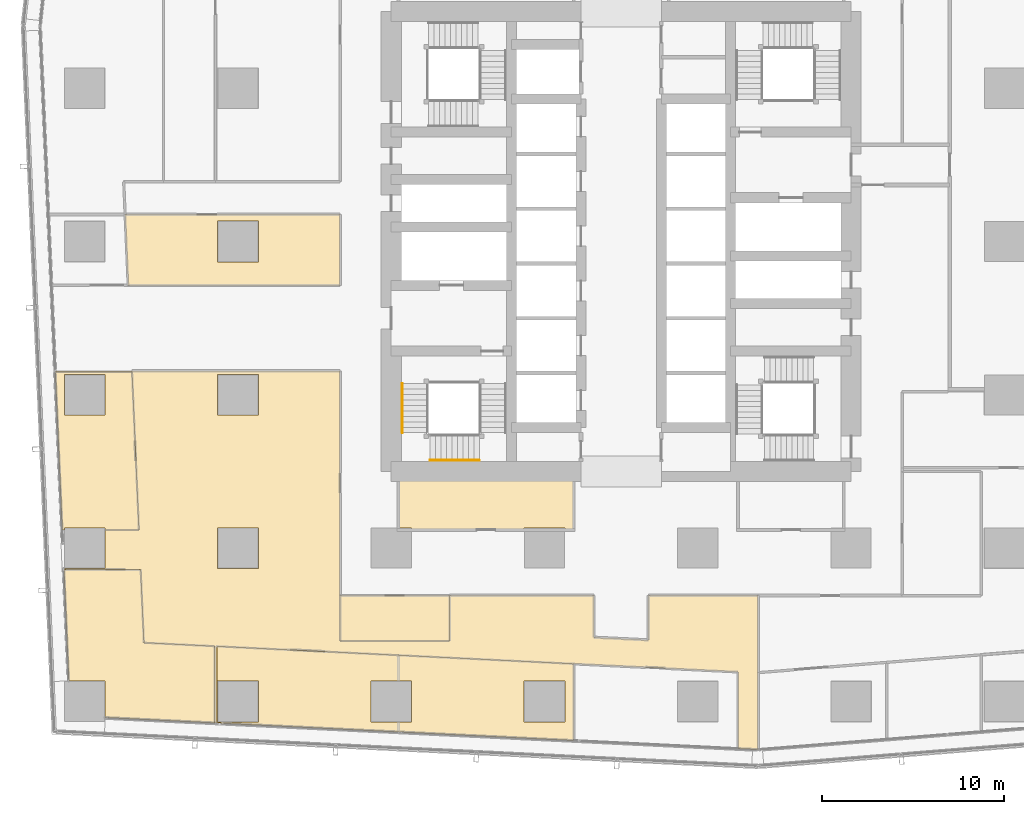
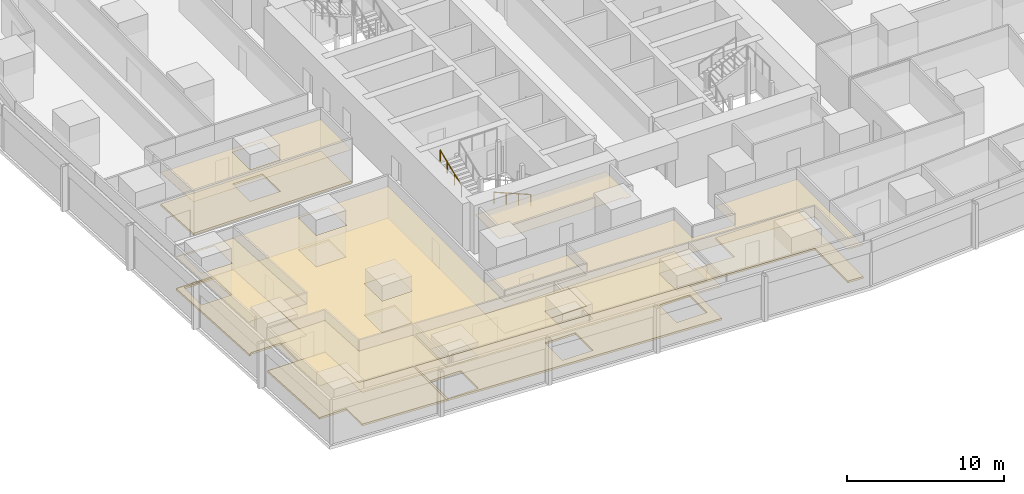
# One storey, part 34 of 42: 13 coverings, 2 railings.
"""IFC4 building model written with IfcOpenShell, lengths in metres."""

from ifc_helpers import new_model, si_unit, direction, frame, origin, origin_2d, place, context, subcontext, project, spatial, polyline, circle, outline, extrude, material, layer, layer_set, type_object, element, save


model = new_model("IFC4")

# Units and contexts
model_context = context("Model", 3, precision=1e-05, world=origin(), true_north=direction((0.0, 1.0)))
body_context = subcontext(model_context, "Body", "Model", "MODEL_VIEW")
ifc_project = project(units=[si_unit("LENGTHUNIT", "METRE"), si_unit("AREAUNIT", "SQUARE_METRE"), si_unit("VOLUMEUNIT", "CUBIC_METRE"), si_unit("PLANEANGLEUNIT", "RADIAN"), si_unit("MASSUNIT", "GRAM", prefix="KILO")], contexts=[model_context])

# Site, building, storey
site_placement = place(None, origin())
site = spatial("IfcSite", under=ifc_project, at=site_placement, CompositionType="ELEMENT")
building_placement = place(site_placement, origin())
building = spatial("IfcBuilding", under=site, at=building_placement, Name="Rekha Terrace Tower", CompositionType="ELEMENT")
storey_placement = place(building_placement, frame((0.0, 0.0, 40.39990234375)))
storey = spatial("IfcBuildingStorey", under=building, at=storey_placement, Name="L09", CompositionType="ELEMENT", Elevation=40.39990234375)

# Coverings
ifc_material_1 = material(Name="Mineral fibre tile in exposed grid", Category="finish")
ifc_layer_1 = layer(ifc_material_1, 0.02001953125)
ifc_layer_set_1 = layer_set([ifc_layer_1], Name="Mineral fibre tile in exposed grid")
covering_type_1 = type_object("IfcCoveringType", Name="CL1 600x1200 office grid ceiling", PredefinedType="CEILING", material=ifc_layer_set_1)
covering_1_placement = place(storey_placement, frame((0.0, 0.0, 2.580078125)))
element("IfcCovering", 1, at=covering_1_placement, inside=storey, type_object=covering_type_1, Name="Ceiling L09-O3b", PredefinedType="CEILING", context=body_context, shape_type="SweptSolid", body=[
    extrude(outline(polyline([(22.39990234375, 35.077880859375), (10.6201171875, 35.077880859375), (10.7900390625, 31.199951171875), (22.39990234375, 31.199951171875), (22.39990234375, 35.077880859375)]), holes=[polyline([(17.9150390625, 32.485107421875), (15.68505859375, 32.485107421875), (15.68505859375, 34.715087890625), (17.9150390625, 34.715087890625), (17.9150390625, 32.485107421875)])]), origin(), (0.0, 0.0, 1.0), 0.02001953125),
])
covering_2_placement = place(storey_placement, frame((0.0, 0.0, 2.580078125)))
element("IfcCovering", 2, at=covering_2_placement, inside=storey, type_object=covering_type_1, Name="Ceiling L09-14", PredefinedType="CEILING", context=body_context, shape_type="SweptSolid", body=[
    extrude(outline(polyline([(9.514892578125, 17.801025390625), (11.3759765625, 17.801025390625), (10.9970703125, 26.448974609375), (6.79296875, 26.448974609375), (7.172119140625, 17.801025390625), (7.284912109375, 17.801025390625), (7.284912109375, 17.9150390625), (9.514892578125, 17.9150390625), (9.514892578125, 17.801025390625)]), holes=[polyline([(9.514892578125, 24.0849609375), (7.284912109375, 24.0849609375), (7.284912109375, 26.31494140625), (9.514892578125, 26.31494140625), (9.514892578125, 24.0849609375)])]), origin(), (0.0, 0.0, 1.0), 0.02001953125),
])
covering_3_placement = place(storey_placement, frame((0.0, 0.0, 2.580078125)))
element("IfcCovering", 3, at=covering_3_placement, inside=storey, type_object=covering_type_1, Name="Ceiling L09-15", PredefinedType="CEILING", context=body_context, shape_type="SweptSolid", body=[
    extrude(outline(polyline([(15.52392578125, 11.427978515625), (11.64599609375, 11.617919921875), (11.469970703125, 15.64306640625), (7.26611328125, 15.64306640625), (7.533935546875, 9.514892578125), (9.514892578125, 9.514892578125), (9.514892578125, 7.51806640625), (15.52392578125, 7.222900390625), (15.52392578125, 11.427978515625)])), origin(), (0.0, 0.0, 1.0), 0.02001953125),
])
covering_4_placement = place(storey_placement, frame((0.0, 0.0, 2.580078125)))
element("IfcCovering", 4, at=covering_4_placement, inside=storey, type_object=covering_type_1, Name="Ceiling L09-16", PredefinedType="CEILING", context=body_context, shape_type="SweptSolid", body=[
    extrude(outline(polyline([(25.60107421875, 10.93310546875), (15.64306640625, 11.422119140625), (15.64306640625, 7.217041015625), (25.60107421875, 6.72802734375), (35.198974609375, 6.257080078125), (35.198974609375, 10.4619140625), (25.60107421875, 10.93310546875)]), holes=[polyline([(34.715087890625, 7.284912109375), (32.485107421875, 7.284912109375), (32.485107421875, 9.514892578125), (34.715087890625, 9.514892578125), (34.715087890625, 7.284912109375)]), polyline([(26.31494140625, 9.514892578125), (26.31494140625, 7.284912109375), (24.0849609375, 7.284912109375), (24.0849609375, 9.514892578125), (26.31494140625, 9.514892578125)]), polyline([(17.9150390625, 7.284912109375), (15.68505859375, 7.284912109375), (15.68505859375, 9.514892578125), (17.9150390625, 9.514892578125), (17.9150390625, 7.284912109375)])]), origin(), (0.0, 0.0, 1.0), 0.02001953125),
])
covering_5_placement = place(storey_placement, frame((0.0, 0.0, 2.580078125)))
element("IfcCovering", 5, at=covering_5_placement, inside=storey, type_object=covering_type_1, Name="Ceiling L09-17", PredefinedType="CEILING", context=body_context, shape_type="SweptSolid", body=[
    extrude(outline(polyline([(22.39990234375, 14.199951171875), (22.39990234375, 11.7099609375), (28.39990234375, 11.7099609375), (28.39990234375, 14.199951171875), (22.39990234375, 14.199951171875)])), origin(), (0.0, 0.0, 1.0), 0.02001953125),
])
covering_6_placement = place(storey_placement, frame((0.0, 0.0, 2.580078125)))
element("IfcCovering", 6, at=covering_6_placement, inside=storey, type_object=covering_type_1, Name="Ceiling L09-O4", PredefinedType="CEILING", context=body_context, shape_type="SweptSolid", body=[
    extrude(outline(polyline([(22.39990234375, 26.511962890625), (6.791015625, 26.511962890625), (6.79296875, 26.448974609375), (10.9970703125, 26.448974609375), (11.3759765625, 17.801025390625), (9.514892578125, 17.801025390625), (9.514892578125, 15.68505859375), (7.263916015625, 15.68505859375), (7.26611328125, 15.64306640625), (11.469970703125, 15.64306640625), (11.64599609375, 11.617919921875), (15.52392578125, 11.427978515625), (15.52392578125, 7.222900390625), (15.64306640625, 7.217041015625), (15.64306640625, 11.422119140625), (25.60302734375, 10.93310546875), (35.199951171875, 10.4619140625), (44.197021484375, 10.02001953125), (44.197021484375, 5.81494140625), (45.27197265625, 5.761962890625), (45.303955078125, 5.764892578125), (45.303955078125, 14.199951171875), (39.300048828125, 14.199951171875), (39.300048828125, 11.761962890625), (36.300048828125, 11.908935546875), (36.300048828125, 14.199951171875), (28.39990234375, 14.199951171875), (28.39990234375, 11.7099609375), (22.39990234375, 11.7099609375), (22.39990234375, 26.511962890625)]), holes=[polyline([(17.9150390625, 15.68505859375), (15.68505859375, 15.68505859375), (15.68505859375, 17.9150390625), (17.9150390625, 17.9150390625), (17.9150390625, 15.68505859375)]), polyline([(17.9150390625, 24.0849609375), (15.68505859375, 24.0849609375), (15.68505859375, 26.31494140625), (17.9150390625, 26.31494140625), (17.9150390625, 24.0849609375)])]), origin(), (0.0, 0.0, 1.0), 0.02001953125),
])
ifc_material_2 = material(Name="Fibre cement board", Category="finish")
ifc_layer_2 = layer(ifc_material_2, 0.014892578125)
ifc_layer_set_2 = layer_set([ifc_layer_2], Name="Fibre cement board")
covering_type_2 = type_object("IfcCoveringType", Name="CL2 moisture-resistant board ceiling", PredefinedType="CEILING", material=ifc_layer_set_2)
covering_7_placement = place(storey_placement, frame((0.0, 0.0, 2.585205078125)))
element("IfcCovering", 7, at=covering_7_placement, inside=storey, type_object=covering_type_2, Name="Ceiling L09-WCM", PredefinedType="CEILING", context=body_context, shape_type="SweptSolid", body=[
    extrude(outline(polyline([(35.199951171875, 21.0), (25.60009765625, 21.0), (25.60009765625, 17.9150390625), (26.31494140625, 17.9150390625), (26.31494140625, 17.800048828125), (32.485107421875, 17.800048828125), (32.485107421875, 17.9150390625), (34.715087890625, 17.9150390625), (34.715087890625, 17.800048828125), (35.199951171875, 17.800048828125), (35.199951171875, 21.0)])), origin(), (0.0, 0.0, 1.0), 0.014892578125),
])

# Railings
ifc_material_3 = material(Name="Stainless steel tube", Category="steel")
railing_type = type_object("IfcRailingType", Name="HR1 900 stair handrail", PredefinedType="HANDRAIL", material=ifc_material_3)
railing_1_placement = place(storey_placement, frame((30.02490234375, 21.610107421875, 1.375)))
element("IfcRailing", 8, at=railing_1_placement, inside=storey, type_object=railing_type, Name="Handrail ST1 L09 flight 2", PredefinedType="HANDRAIL", context=body_context, shape_type="SweptSolid", body=[
    extrude(circle(Radius=0.02392578125, at=origin_2d()), frame((0.0, 0.0, 0.8759765625), z_axis=(-0.923074453586, 0.0, 0.384621311341), x_axis=(0.0, -1.0, 0.0)), (0.0, 0.0, 1.0), 2.925048828125),
    extrude(circle(Radius=0.02099609375, at=origin_2d()), origin(), (0.0, 0.0, 1.0), 0.851806640625),
    extrude(circle(Radius=0.02099609375, at=origin_2d()), frame((-0.89990234375, 0.0, 0.375)), (0.0, 0.0, 1.0), 0.851806640625),
    extrude(circle(Radius=0.02099609375, at=origin_2d()), frame((-1.800048828125, 0.0, 0.75)), (0.0, 0.0, 1.0), 0.851806640625),
    extrude(circle(Radius=0.02099609375, at=origin_2d()), frame((-2.699951171875, 0.0, 1.125)), (0.0, 0.0, 1.0), 0.851806640625),
])
railing_2_placement = place(storey_placement, frame((25.81005859375, 23.125, 2.625)))
element("IfcRailing", 9, at=railing_2_placement, inside=storey, type_object=railing_type, Name="Handrail ST1 L09 flight 3", PredefinedType="HANDRAIL", context=body_context, shape_type="SweptSolid", body=[
    extrude(circle(Radius=0.02392578125, at=origin_2d()), frame((0.0, 0.0, 0.8759765625), z_axis=(0.0, 0.923074453586, 0.384621311341), x_axis=(-1.0, 0.0, 0.0)), (0.0, 0.0, 1.0), 2.925048828125),
    extrude(circle(Radius=0.02099609375, at=origin_2d()), origin(), (0.0, 0.0, 1.0), 0.851806640625),
    extrude(circle(Radius=0.02099609375, at=origin_2d()), frame((0.0, 0.89990234375, 0.375)), (0.0, 0.0, 1.0), 0.851806640625),
    extrude(circle(Radius=0.02099609375, at=origin_2d()), frame((0.0, 1.800048828125, 0.75)), (0.0, 0.0, 1.0), 0.851806640625),
    extrude(circle(Radius=0.02099609375, at=origin_2d()), frame((0.0, 2.699951171875, 1.125)), (0.0, 0.0, 1.0), 0.851806640625),
])

# Coverings
ifc_material_4 = material(Name="Calcium sulphate panels on steel pedestals", Category="steel")
ifc_layer_3 = layer(ifc_material_4, 0.14990234375)
ifc_layer_set_3 = layer_set([ifc_layer_3], Name="Calcium sulphate panels on steel pedestals")
covering_type_3 = type_object("IfcCoveringType", Name="RF1 150 raised access floor", PredefinedType="FLOORING", material=ifc_layer_set_3)
covering_8_placement = place(storey_placement, origin())
element("IfcCovering", 10, at=covering_8_placement, inside=storey, type_object=covering_type_3, Name="Raised floor L09-O3b", PredefinedType="FLOORING", context=body_context, shape_type="SweptSolid", body=[
    extrude(outline(polyline([(22.39990234375, 35.077880859375), (10.6201171875, 35.077880859375), (10.7900390625, 31.199951171875), (22.39990234375, 31.199951171875), (22.39990234375, 35.077880859375)]), holes=[polyline([(17.9150390625, 32.485107421875), (15.68505859375, 32.485107421875), (15.68505859375, 34.715087890625), (17.9150390625, 34.715087890625), (17.9150390625, 32.485107421875)])]), origin(), (0.0, 0.0, 1.0), 0.150146484375),
])
covering_9_placement = place(storey_placement, origin())
element("IfcCovering", 11, at=covering_9_placement, inside=storey, type_object=covering_type_3, Name="Raised floor L09-14", PredefinedType="FLOORING", context=body_context, shape_type="SweptSolid", body=[
    extrude(outline(polyline([(9.514892578125, 17.801025390625), (11.3759765625, 17.801025390625), (10.9970703125, 26.448974609375), (6.79296875, 26.448974609375), (7.172119140625, 17.801025390625), (7.284912109375, 17.801025390625), (7.284912109375, 17.9150390625), (9.514892578125, 17.9150390625), (9.514892578125, 17.801025390625)]), holes=[polyline([(9.514892578125, 24.0849609375), (7.284912109375, 24.0849609375), (7.284912109375, 26.31494140625), (9.514892578125, 26.31494140625), (9.514892578125, 24.0849609375)])]), origin(), (0.0, 0.0, 1.0), 0.150146484375),
])
covering_10_placement = place(storey_placement, origin())
element("IfcCovering", 12, at=covering_10_placement, inside=storey, type_object=covering_type_3, Name="Raised floor L09-15", PredefinedType="FLOORING", context=body_context, shape_type="SweptSolid", body=[
    extrude(outline(polyline([(15.52392578125, 11.427978515625), (11.64599609375, 11.617919921875), (11.469970703125, 15.64306640625), (7.26611328125, 15.64306640625), (7.533935546875, 9.514892578125), (9.514892578125, 9.514892578125), (9.514892578125, 7.51806640625), (15.52392578125, 7.222900390625), (15.52392578125, 11.427978515625)])), origin(), (0.0, 0.0, 1.0), 0.150146484375),
])
covering_11_placement = place(storey_placement, origin())
element("IfcCovering", 13, at=covering_11_placement, inside=storey, type_object=covering_type_3, Name="Raised floor L09-16", PredefinedType="FLOORING", context=body_context, shape_type="SweptSolid", body=[
    extrude(outline(polyline([(25.60107421875, 10.93310546875), (15.64306640625, 11.422119140625), (15.64306640625, 7.217041015625), (25.60107421875, 6.72802734375), (35.198974609375, 6.257080078125), (35.198974609375, 10.4619140625), (25.60107421875, 10.93310546875)]), holes=[polyline([(34.715087890625, 7.284912109375), (32.485107421875, 7.284912109375), (32.485107421875, 9.514892578125), (34.715087890625, 9.514892578125), (34.715087890625, 7.284912109375)]), polyline([(26.31494140625, 9.514892578125), (26.31494140625, 7.284912109375), (24.0849609375, 7.284912109375), (24.0849609375, 9.514892578125), (26.31494140625, 9.514892578125)]), polyline([(17.9150390625, 7.284912109375), (15.68505859375, 7.284912109375), (15.68505859375, 9.514892578125), (17.9150390625, 9.514892578125), (17.9150390625, 7.284912109375)])]), origin(), (0.0, 0.0, 1.0), 0.150146484375),
])
covering_12_placement = place(storey_placement, origin())
element("IfcCovering", 14, at=covering_12_placement, inside=storey, type_object=covering_type_3, Name="Raised floor L09-17", PredefinedType="FLOORING", context=body_context, shape_type="SweptSolid", body=[
    extrude(outline(polyline([(22.39990234375, 14.199951171875), (22.39990234375, 11.7099609375), (28.39990234375, 11.7099609375), (28.39990234375, 14.199951171875), (22.39990234375, 14.199951171875)])), origin(), (0.0, 0.0, 1.0), 0.150146484375),
])
covering_13_placement = place(storey_placement, origin())
element("IfcCovering", 15, at=covering_13_placement, inside=storey, type_object=covering_type_3, Name="Raised floor L09-O4", PredefinedType="FLOORING", context=body_context, shape_type="SweptSolid", body=[
    extrude(outline(polyline([(22.39990234375, 26.511962890625), (6.791015625, 26.511962890625), (6.79296875, 26.448974609375), (10.9970703125, 26.448974609375), (11.3759765625, 17.801025390625), (9.514892578125, 17.801025390625), (9.514892578125, 15.68505859375), (7.263916015625, 15.68505859375), (7.26611328125, 15.64306640625), (11.469970703125, 15.64306640625), (11.64599609375, 11.617919921875), (15.52392578125, 11.427978515625), (15.52392578125, 7.222900390625), (15.64306640625, 7.217041015625), (15.64306640625, 11.422119140625), (25.60302734375, 10.93310546875), (35.199951171875, 10.4619140625), (44.197021484375, 10.02001953125), (44.197021484375, 5.81494140625), (45.27197265625, 5.761962890625), (45.303955078125, 5.764892578125), (45.303955078125, 14.199951171875), (39.300048828125, 14.199951171875), (39.300048828125, 11.761962890625), (36.300048828125, 11.908935546875), (36.300048828125, 14.199951171875), (28.39990234375, 14.199951171875), (28.39990234375, 11.7099609375), (22.39990234375, 11.7099609375), (22.39990234375, 26.511962890625)]), holes=[polyline([(17.9150390625, 15.68505859375), (15.68505859375, 15.68505859375), (15.68505859375, 17.9150390625), (17.9150390625, 17.9150390625), (17.9150390625, 15.68505859375)]), polyline([(17.9150390625, 24.0849609375), (15.68505859375, 24.0849609375), (15.68505859375, 26.31494140625), (17.9150390625, 26.31494140625), (17.9150390625, 24.0849609375)])]), origin(), (0.0, 0.0, 1.0), 0.150146484375),
])

save(model, "model.ifc")
